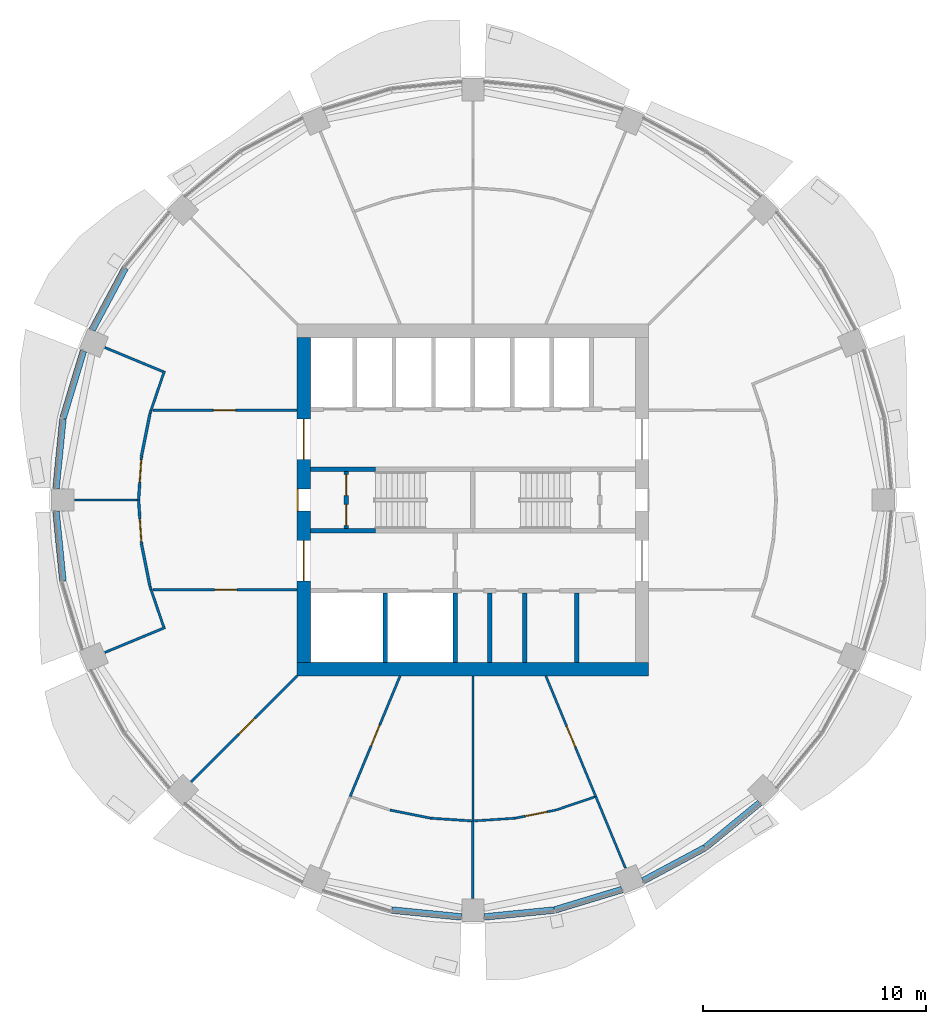
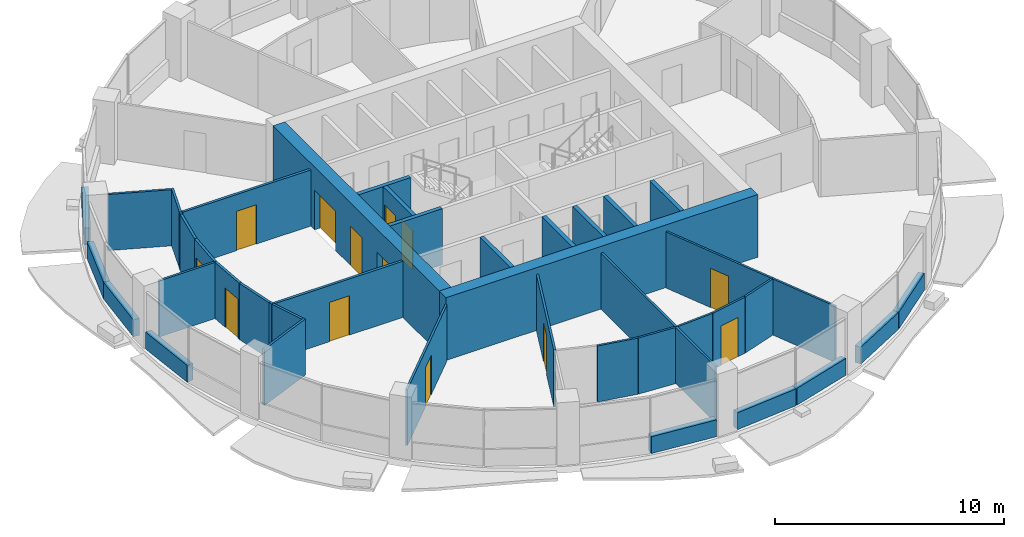
# One storey, part 8 of 15: 43 walls, 13 doors, 13 openings.
"""IFC4 building model written with IfcOpenShell, lengths in metres."""

from ifc_helpers import new_model, si_unit, direction, frame, frame_2d, origin, place, context, subcontext, project, spatial, rectangle, extrude, material, layer, layer_set, type_object, element, fill, save


model = new_model("IFC4")

# Units and contexts
model_context = context("Model", 3, precision=1e-05, world=origin(), true_north=direction((0.0, 1.0)))
body_context = subcontext(model_context, "Body", "Model", "MODEL_VIEW")
ifc_project = project(units=[si_unit("LENGTHUNIT", "METRE"), si_unit("AREAUNIT", "SQUARE_METRE"), si_unit("VOLUMEUNIT", "CUBIC_METRE"), si_unit("PLANEANGLEUNIT", "RADIAN"), si_unit("MASSUNIT", "GRAM", prefix="KILO")], contexts=[model_context])

# Site, building, storey
site_placement = place(None, origin())
site = spatial("IfcSite", under=ifc_project, at=site_placement, CompositionType="ELEMENT")
building_placement = place(site_placement, origin())
building = spatial("IfcBuilding", under=site, at=building_placement, Name="Polderwave Tower", CompositionType="ELEMENT")
storey_placement = place(building_placement, frame((0.0, 0.0, 137.699951171875)))
storey = spatial("IfcBuildingStorey", under=building, at=storey_placement, Name="L36", CompositionType="ELEMENT", Elevation=137.699951171875)

# Wall
ifc_material_1 = material(Name="Concrete C60/75", Category="concrete")
ifc_layer_1 = layer(ifc_material_1, 0.60009765625)
ifc_layer_set_1 = layer_set([ifc_layer_1], Name="CORE WALL 600 C60/75")
wall_type_1 = type_object("IfcWallType", Name="CORE WALL 600 C60/75", PredefinedType="SHEAR", material=ifc_layer_set_1)
wall_1_placement = place(storey_placement, frame((-7.8740234375, -7.573974609375, 0.0), z_axis=(0.0, 0.0, 1.0), x_axis=(1.0, 0.0, 0.0)))
element("IfcWall", 1, at=wall_1_placement, inside=storey, type_object=wall_type_1, Name="ST-CORE-L36-S", PredefinedType="SHEAR", context=body_context, shape_type="SweptSolid", body=[
    extrude(rectangle(XDim=15.748046875, YDim=0.60009765625, at=frame_2d((7.8740234375, 0.0))), origin(), (0.0, 0.0, 1.0), 3.35009765625),
])

# Wall, openings, doors
wall_2_placement = place(storey_placement, frame((-7.573974609375, -7.27392578125, 0.0), z_axis=(0.0, 0.0, 1.0), x_axis=(0.0, 1.0, 0.0)))
wall_2 = element("IfcWall", 2, at=wall_2_placement, inside=storey, type_object=wall_type_1, Name="ST-CORE-L36-W", PredefinedType="SHEAR", context=body_context, shape_type="SweptSolid", body=[
    extrude(rectangle(XDim=14.5478515625, YDim=0.60009765625, at=frame_2d((7.27392578125, 0.0))), origin(), (0.0, 0.0, 1.0), 3.35009765625),
])
opening_1_placement = place(wall_2_placement, frame((6.77392578125, 0.0, 0.0)))
opening_1 = element("IfcOpeningElement", 3, at=opening_1_placement, cuts=wall_2, Name="Opening L36-D20", PredefinedType="OPENING", context=body_context, shape_type="SweptSolid", body=[
    extrude(rectangle(XDim=1.0, YDim=2.10009765625, at=frame_2d((0.5, 1.050048828125))), frame((0.0, 0.31005859375, 0.0), z_axis=(0.0, -1.0, 0.0), x_axis=(1.0, 0.0, 0.0)), (0.0, 0.0, 1.0), 0.6201171875),
])
opening_2_placement = place(wall_2_placement, frame((3.6494140625, 0.0, 0.0)))
opening_2 = element("IfcOpeningElement", 4, at=opening_2_placement, cuts=wall_2, Name="Opening L36-D21", PredefinedType="OPENING", context=body_context, shape_type="SweptSolid", body=[
    extrude(rectangle(XDim=1.800048828125, YDim=2.10009765625, at=frame_2d((0.89990234375, 1.050048828125))), frame((0.0, 0.31005859375, 0.0), z_axis=(0.0, -1.0, 0.0), x_axis=(1.0, 0.0, 0.0)), (0.0, 0.0, 1.0), 0.6201171875),
])
opening_3_placement = place(wall_2_placement, frame((9.098388671875, 0.0, 0.0)))
opening_3 = element("IfcOpeningElement", 5, at=opening_3_placement, cuts=wall_2, Name="Opening L36-D22", PredefinedType="OPENING", context=body_context, shape_type="SweptSolid", body=[
    extrude(rectangle(XDim=1.800048828125, YDim=2.10009765625, at=frame_2d((0.89990234375, 1.050048828125))), frame((0.0, 0.31005859375, 0.0), z_axis=(0.0, -1.0, 0.0), x_axis=(1.0, 0.0, 0.0)), (0.0, 0.0, 1.0), 0.6201171875),
])
ifc_material_2 = material(Name="Steel fire door", Category="steel")
door_type_1 = type_object("IfcDoorType", Name="Lobby entry door pair 1800", OperationType="DOUBLE_DOOR_SINGLE_SWING", PredefinedType="DOOR", material=ifc_material_2)
door_1_placement = place(opening_2_placement, origin())
door_1 = element("IfcDoor", 6, at=door_1_placement, inside=storey, type_object=door_type_1, Name="Fire-fighting lobby entry door", OperationType="DOUBLE_DOOR_SINGLE_SWING", OverallHeight=2.10009765625, OverallWidth=1.800048828125, PredefinedType="DOOR", context=body_context, shape_type="SweptSolid", body=[
    extrude(rectangle(XDim=1.800048828125, YDim=2.10009765625, at=frame_2d((0.89990234375, 1.050048828125))), frame((0.0, 0.02490234375, 0.0), z_axis=(0.0, -1.0, 0.0), x_axis=(1.0, 0.0, 0.0)), (0.0, 0.0, 1.0), 0.050048828125),
])
fill(opening_2, door_1)
door_2_placement = place(opening_3_placement, origin())
door_2 = element("IfcDoor", 7, at=door_2_placement, inside=storey, type_object=door_type_1, Name="North lobby entry door", OperationType="DOUBLE_DOOR_SINGLE_SWING", OverallHeight=2.10009765625, OverallWidth=1.800048828125, PredefinedType="DOOR", context=body_context, shape_type="SweptSolid", body=[
    extrude(rectangle(XDim=1.800048828125, YDim=2.10009765625, at=frame_2d((0.89990234375, 1.050048828125))), frame((0.0, 0.02490234375, 0.0), z_axis=(0.0, -1.0, 0.0), x_axis=(1.0, 0.0, 0.0)), (0.0, 0.0, 1.0), 0.050048828125),
])
fill(opening_3, door_2)
door_type_2 = type_object("IfcDoorType", Name="Stair door 1000", OperationType="NOTDEFINED", PredefinedType="DOOR", material=ifc_material_2)
door_3_placement = place(opening_1_placement, origin())
door_3 = element("IfcDoor", 8, at=door_3_placement, inside=storey, type_object=door_type_2, Name="Stair A entry door", OperationType="SINGLE_SWING_RIGHT", OverallHeight=2.10009765625, OverallWidth=1.0, PredefinedType="DOOR", context=body_context, shape_type="SweptSolid", body=[
    extrude(rectangle(XDim=1.0, YDim=2.10009765625, at=frame_2d((0.5, 1.050048828125))), frame((0.0, 0.2998046875, 0.0), z_axis=(0.0, -1.0, 0.0), x_axis=(1.0, 0.0, 0.0)), (0.0, 0.0, 1.0), 0.050048828125),
])
fill(opening_1, door_3)

# Walls
ifc_material_3 = material(Name="Concrete C50/60 (board-marked)", Category="concrete")
ifc_layer_2 = layer(ifc_material_3, 0.300048828125)
ifc_layer_set_2 = layer_set([ifc_layer_2], Name="Concrete spandrel upstand C50/60")
wall_type_2 = type_object("IfcWallType", Name="Concrete spandrel upstand C50/60", PredefinedType="SOLIDWALL", material=ifc_layer_set_2)
wall_3_placement = place(storey_placement, frame((-15.580078125, 10.392822265625, 0.0), z_axis=(0.0, 0.0, 1.0), x_axis=(-0.471487773873, -0.881872597991, 0.0)))
element("IfcWall", 9, at=wall_3_placement, inside=storey, type_object=wall_type_2, Name="Spandrel L36 7b", PredefinedType="SOLIDWALL", context=body_context, shape_type="SweptSolid", body=[
    extrude(rectangle(XDim=3.140625, YDim=0.300048828125, at=frame_2d((1.5703125, 0.0))), origin(), (0.0, 0.0, 1.0), 0.900146484375),
])
for number, where, z_axis, x_axis, name in (
    (10, (-17.453369140625, 6.673583984375, 0.0), (0.0, 0.0, 1.0), (-0.290434573745, -0.956894852308, 0.0), "Spandrel L36 8a"),
    (11, (-18.37158203125, 3.63916015625, 0.0), (0.0, 0.0, 1.0), (-0.098033428421, -0.995183122301, 0.0), "Spandrel L36 8b"),
    (12, (-18.679443359375, -0.513916015625, 0.0), (0.0, 0.0, 1.0), (0.098033428421, -0.995183122301, 0.0), "Spandrel L36 9a"),
    (13, (-3.63916015625, -18.37158203125, 0.0), (0.0, 0.0, 1.0), (0.995183122301, -0.098033428421, 0.0), "Spandrel L36 12b"),
    (14, (0.513916015625, -18.679443359375, 0.0), (0.0, 0.0, 1.0), (0.995183122301, 0.098033428421, 0.0), "Spandrel L36 13a"),
    (15, (3.66845703125, -18.365478515625, 0.0), (0.0, 0.0, 1.0), (0.956894852308, 0.290434573745, 0.0), "Spandrel L36 13b"),
):
    element("IfcWall", number, at=place(storey_placement, frame(where, z_axis=z_axis, x_axis=x_axis)), inside=storey, type_object=wall_type_2, Name=name, PredefinedType="SOLIDWALL", context=body_context, shape_type="SweptSolid", body=[
        extrude(rectangle(XDim=3.140380859375, YDim=0.300048828125, at=frame_2d((1.5703125, 0.0))), origin(), (0.0, 0.0, 1.0), 0.900146484375),
    ])
for number, where, z_axis, x_axis, name in (
    (16, (7.623291015625, -17.060791015625, 0.0), (0.0, 0.0, 1.0), (0.881872597991, 0.471487773873, 0.0), "Spandrel L36 14a"),
    (17, (10.41748046875, -15.5634765625, 0.0), (0.0, 0.0, 1.0), (0.773111490074, 0.634270150579, 0.0), "Spandrel L36 14b"),
):
    element("IfcWall", number, at=place(storey_placement, frame(where, z_axis=z_axis, x_axis=x_axis)), inside=storey, type_object=wall_type_2, Name=name, PredefinedType="SOLIDWALL", context=body_context, shape_type="SweptSolid", body=[
        extrude(rectangle(XDim=3.140625, YDim=0.300048828125, at=frame_2d((1.5703125, 0.0))), origin(), (0.0, 0.0, 1.0), 0.900146484375),
    ])
ifc_material_4 = material(Name="Gypsum board partition")
ifc_layer_3 = layer(ifc_material_4, 0.199951171875)
ifc_layer_set_3 = layer_set([ifc_layer_3], Name="Core room partition 200")
wall_type_3 = type_object("IfcWallType", Name="Core room partition 200", PredefinedType="PARTITIONING", material=ifc_layer_set_3)
for number, where, z_axis, x_axis, name in (
    (18, (0.75830078125, -7.27392578125, 0.0), (0.0, 0.0, 1.0), (0.0, 1.0, 0.0), "L36 room partition S1"),
    (19, (2.316650390625, -7.27392578125, 0.0), (0.0, 0.0, 1.0), (0.0, 1.0, 0.0), "L36 room partition S2"),
    (20, (4.6513671875, -7.27392578125, 0.0), (0.0, 0.0, 1.0), (0.0, 1.0, 0.0), "L36 room partition S3"),
):
    element("IfcWall", number, at=place(storey_placement, frame(where, z_axis=z_axis, x_axis=x_axis)), inside=storey, type_object=wall_type_3, Name=name, PredefinedType="PARTITIONING", context=body_context, shape_type="SweptSolid", body=[
        extrude(rectangle(XDim=3.099853515625, YDim=0.199951171875, at=frame_2d((1.5498046875, 0.0))), origin(), (0.0, 0.0, 1.0), 3.0),
    ])

# Wall, openings, doors
wall_4_placement = place(storey_placement, frame((-5.674072265625, -1.27490234375, 0.0), z_axis=(0.0, 0.0, 1.0), x_axis=(0.0, 1.0, 0.0)))
wall_4 = element("IfcWall", 21, at=wall_4_placement, inside=storey, type_object=wall_type_3, Name="L36 smoke lobby wall A", PredefinedType="PARTITIONING", context=body_context, shape_type="SweptSolid", body=[
    extrude(rectangle(XDim=2.5498046875, YDim=0.199951171875, at=frame_2d((1.27490234375, 0.0))), origin(), (0.0, 0.0, 1.0), 3.0),
])
opening_4_placement = place(wall_4_placement, frame((0.125, 0.0, 0.0)))
opening_4 = element("IfcOpeningElement", 22, at=opening_4_placement, cuts=wall_4, Name="Opening L36-D10", PredefinedType="OPENING", context=body_context, shape_type="SweptSolid", body=[
    extrude(rectangle(XDim=0.949951171875, YDim=2.10009765625, at=frame_2d((0.47509765625, 1.050048828125))), frame((0.0, 0.10986328125, 0.0), z_axis=(0.0, -1.0, 0.0), x_axis=(1.0, 0.0, 0.0)), (0.0, 0.0, 1.0), 0.219970703125),
])
opening_5_placement = place(wall_4_placement, frame((1.47509765625, 0.0, 0.0)))
opening_5 = element("IfcOpeningElement", 23, at=opening_5_placement, cuts=wall_4, Name="Opening L36-D11", PredefinedType="OPENING", context=body_context, shape_type="SweptSolid", body=[
    extrude(rectangle(XDim=0.949951171875, YDim=2.10009765625, at=frame_2d((0.47509765625, 1.050048828125))), frame((0.0, 0.10986328125, 0.0), z_axis=(0.0, -1.0, 0.0), x_axis=(1.0, 0.0, 0.0)), (0.0, 0.0, 1.0), 0.219970703125),
])
door_type_3 = type_object("IfcDoorType", Name="Smoke lobby door 950", OperationType="NOTDEFINED", PredefinedType="DOOR", material=ifc_material_2)
door_4_placement = place(opening_4_placement, origin())
door_4 = element("IfcDoor", 24, at=door_4_placement, inside=storey, type_object=door_type_3, Name="Stair A smoke lobby inner door", OperationType="SINGLE_SWING_LEFT", OverallHeight=2.10009765625, OverallWidth=0.949951171875, PredefinedType="DOOR", context=body_context, shape_type="SweptSolid", body=[
    extrude(rectangle(XDim=0.949951171875, YDim=2.10009765625, at=frame_2d((0.47509765625, 1.050048828125))), frame((0.0, 0.02490234375, 0.0), z_axis=(0.0, -1.0, 0.0), x_axis=(1.0, 0.0, 0.0)), (0.0, 0.0, 1.0), 0.050048828125),
])
fill(opening_4, door_4)
door_5_placement = place(opening_5_placement, origin())
door_5 = element("IfcDoor", 25, at=door_5_placement, inside=storey, type_object=door_type_3, Name="Stair A smoke lobby inner door", OperationType="SINGLE_SWING_RIGHT", OverallHeight=2.10009765625, OverallWidth=0.949951171875, PredefinedType="DOOR", context=body_context, shape_type="SweptSolid", body=[
    extrude(rectangle(XDim=0.949951171875, YDim=2.10009765625, at=frame_2d((0.47509765625, 1.050048828125))), frame((0.0, 0.02490234375, 0.0), z_axis=(0.0, -1.0, 0.0), x_axis=(1.0, 0.0, 0.0)), (0.0, 0.0, 1.0), 0.050048828125),
])
fill(opening_5, door_5)

# Walls
ifc_material_5 = material(Name="Concrete C50/60", Category="concrete")
ifc_layer_4 = layer(ifc_material_5, 0.199951171875)
ifc_layer_set_4 = layer_set([ifc_layer_4], Name="Core web wall 200")
wall_type_4 = type_object("IfcWallType", Name="Core web wall 200", PredefinedType="SHEAR", material=ifc_layer_set_4)
for number, where, z_axis, x_axis, name in (
    (26, (-7.27392578125, -1.375, 0.0), (0.0, 0.0, 1.0), (1.0, 0.0, 0.0), "L36 south stair wall 1"),
    (27, (-7.27392578125, 1.375, 0.0), (0.0, 0.0, 1.0), (1.0, 0.0, 0.0), "L36 north stair wall 1"),
):
    element("IfcWall", number, at=place(storey_placement, frame(where, z_axis=z_axis, x_axis=x_axis)), inside=storey, type_object=wall_type_4, Name=name, PredefinedType="SHEAR", context=body_context, shape_type="SweptSolid", body=[
        extrude(rectangle(XDim=2.89990234375, YDim=0.199951171875, at=frame_2d((1.449951171875, 0.0))), origin(), (0.0, 0.0, 1.0), 3.0),
    ])

# Wall, opening, door
ifc_material_6 = material(Name="Fire-resisting board on steel studs", Category="steel")
ifc_layer_5 = layer(ifc_material_6, 0.125)
ifc_layer_set_5 = layer_set([ifc_layer_5], Name="Corridor wall 125 mm EI 60")
wall_type_5 = type_object("IfcWallType", Name="Corridor wall 125 mm EI 60", PredefinedType="PARTITIONING", material=ifc_layer_set_5)
wall_5_placement = place(storey_placement, frame((-14.332275390625, 4.0244140625, 0.0), z_axis=(0.0, 0.0, 1.0), x_axis=(1.0, 0.0, 0.0)))
wall_5 = element("IfcWall", 28, at=wall_5_placement, inside=storey, type_object=wall_type_5, Name="IN-L36-W009", PredefinedType="PARTITIONING", context=body_context, shape_type="SweptSolid", body=[
    extrude(rectangle(XDim=6.458251953125, YDim=0.125, at=frame_2d((3.22900390625, 0.0))), origin(), (0.0, 0.0, 1.0), 3.0),
])
opening_6_placement = place(wall_5_placement, frame((2.699951171875, 0.0, 0.0)))
opening_6 = element("IfcOpeningElement", 29, at=opening_6_placement, cuts=wall_5, Name="Opening L36-D53", PredefinedType="OPENING", context=body_context, shape_type="SweptSolid", body=[
    extrude(rectangle(XDim=1.0, YDim=2.10009765625, at=frame_2d((0.5, 1.050048828125))), frame((0.0, 0.072509765625, 0.0), z_axis=(0.0, -1.0, 0.0), x_axis=(1.0, 0.0, 0.0)), (0.0, 0.0, 1.0), 0.14501953125),
])
ifc_material_7 = material(Name="Timber fire door leaf", Category="wood")
door_type_4 = type_object("IfcDoorType", Name="Fire door FD30S 1000 x 2100", OperationType="NOTDEFINED", PredefinedType="DOOR", material=ifc_material_7)
door_6_placement = place(opening_6_placement, origin())
door_6 = element("IfcDoor", 30, at=door_6_placement, inside=storey, type_object=door_type_4, Name="Door L36-D53", OperationType="SINGLE_SWING_LEFT", OverallHeight=2.10009765625, OverallWidth=1.0, PredefinedType="DOOR", context=body_context, shape_type="SweptSolid", body=[
    extrude(rectangle(XDim=1.0, YDim=2.10009765625, at=frame_2d((0.5, 1.050048828125))), frame((0.0, 0.02490234375, 0.0), z_axis=(0.0, -1.0, 0.0), x_axis=(1.0, 0.0, 0.0)), (0.0, 0.0, 1.0), 0.050048828125),
])
fill(opening_6, door_6)

wall_6_placement = place(storey_placement, frame((-14.97998046875, 0.0, 0.0), z_axis=(0.0, 0.0, 1.0), x_axis=(0.065425090266, 0.997857483594, 0.0)))
wall_6 = element("IfcWall", 31, at=wall_6_placement, inside=storey, type_object=wall_type_5, Name="IN-L36-W010", PredefinedType="PARTITIONING", context=body_context, shape_type="SweptSolid", body=[
    extrude(rectangle(XDim=1.955322265625, YDim=0.125, at=frame_2d((0.9775390625, 0.0))), origin(), (0.0, 0.0, 1.0), 3.0),
])
opening_7_placement = place(wall_6_placement, frame((0.800048828125, 0.0, 0.0)))
opening_7 = element("IfcOpeningElement", 32, at=opening_7_placement, cuts=wall_6, Name="Opening L36-D54", PredefinedType="OPENING", context=body_context, shape_type="SweptSolid", body=[
    extrude(rectangle(XDim=1.0, YDim=2.10009765625, at=frame_2d((0.5, 1.050048828125))), frame((0.0, 0.072509765625, 0.0), z_axis=(0.0, -1.0, 0.0), x_axis=(1.0, 0.0, 0.0)), (0.0, 0.0, 1.0), 0.14501953125),
])
door_7_placement = place(opening_7_placement, origin())
door_7 = element("IfcDoor", 33, at=door_7_placement, inside=storey, type_object=door_type_4, Name="Door L36-D54", OperationType="SINGLE_SWING_RIGHT", OverallHeight=2.10009765625, OverallWidth=1.0, PredefinedType="DOOR", context=body_context, shape_type="SweptSolid", body=[
    extrude(rectangle(XDim=1.0, YDim=2.10009765625, at=frame_2d((0.5, 1.050048828125))), frame((0.0, 0.02490234375, 0.0), z_axis=(0.0, -1.0, 0.0), x_axis=(1.0, 0.0, 0.0)), (0.0, 0.0, 1.0), 0.050048828125),
])
fill(opening_7, door_7)

# Walls
wall_7_placement = place(storey_placement, frame((-14.85107421875, 1.959228515625, 0.0), z_axis=(0.0, 0.0, 1.0), x_axis=(0.195057338878, 0.980791840581, 0.0)))
element("IfcWall", 34, at=wall_7_placement, inside=storey, type_object=wall_type_5, Name="IN-L36-W011", PredefinedType="PARTITIONING", context=body_context, shape_type="SweptSolid", body=[
    extrude(rectangle(XDim=1.951416015625, YDim=0.125, at=frame_2d((0.9755859375, 0.0))), origin(), (0.0, 0.0, 1.0), 3.0),
])
wall_8_placement = place(storey_placement, frame((-14.46826171875, 3.881103515625, 0.0), z_axis=(0.0, 0.0, 1.0), x_axis=(0.322509757857, 0.946566139309, 0.0)))
element("IfcWall", 35, at=wall_8_placement, inside=storey, type_object=wall_type_5, Name="IN-L36-W012", PredefinedType="PARTITIONING", context=body_context, shape_type="SweptSolid", body=[
    extrude(rectangle(XDim=0.1513671875, YDim=0.125, at=frame_2d((0.07568359375, 0.0))), origin(), (0.0, 0.0, 1.0), 3.0),
])

# Wall, opening, door
wall_9_placement = place(storey_placement, frame((-7.8740234375, -4.0244140625, 0.0), z_axis=(0.0, 0.0, 1.0), x_axis=(-1.0, 0.0, 0.0)))
wall_9 = element("IfcWall", 36, at=wall_9_placement, inside=storey, type_object=wall_type_5, Name="IN-L36-W013", PredefinedType="PARTITIONING", context=body_context, shape_type="SweptSolid", body=[
    extrude(rectangle(XDim=6.458251953125, YDim=0.125, at=frame_2d((3.22900390625, 0.0))), origin(), (0.0, 0.0, 1.0), 3.0),
])
opening_8_placement = place(wall_9_placement, frame((2.699951171875, 0.0, 0.0)))
opening_8 = element("IfcOpeningElement", 37, at=opening_8_placement, cuts=wall_9, Name="Opening L36-D55", PredefinedType="OPENING", context=body_context, shape_type="SweptSolid", body=[
    extrude(rectangle(XDim=1.0, YDim=2.10009765625, at=frame_2d((0.5, 1.050048828125))), frame((0.0, 0.072509765625, 0.0), z_axis=(0.0, -1.0, 0.0), x_axis=(1.0, 0.0, 0.0)), (0.0, 0.0, 1.0), 0.14501953125),
])
door_8_placement = place(opening_8_placement, origin())
door_8 = element("IfcDoor", 38, at=door_8_placement, inside=storey, type_object=door_type_4, Name="Door L36-D55", OperationType="SINGLE_SWING_LEFT", OverallHeight=2.10009765625, OverallWidth=1.0, PredefinedType="DOOR", context=body_context, shape_type="SweptSolid", body=[
    extrude(rectangle(XDim=1.0, YDim=2.10009765625, at=frame_2d((0.5, 1.050048828125))), frame((0.0, 0.02490234375, 0.0), z_axis=(0.0, -1.0, 0.0), x_axis=(1.0, 0.0, 0.0)), (0.0, 0.0, 1.0), 0.050048828125),
])
fill(opening_8, door_8)

wall_10_placement = place(storey_placement, frame((-14.85205078125, -1.951171875, 0.0), z_axis=(0.0, 0.0, 1.0), x_axis=(-0.065425090266, 0.997857483594, 0.0)))
wall_10 = element("IfcWall", 39, at=wall_10_placement, inside=storey, type_object=wall_type_5, Name="IN-L36-W014", PredefinedType="PARTITIONING", context=body_context, shape_type="SweptSolid", body=[
    extrude(rectangle(XDim=1.955322265625, YDim=0.125, at=frame_2d((0.9775390625, 0.0))), origin(), (0.0, 0.0, 1.0), 3.0),
])
opening_9_placement = place(wall_10_placement, frame((0.10009765625, 0.0, 0.0)))
opening_9 = element("IfcOpeningElement", 40, at=opening_9_placement, cuts=wall_10, Name="Opening L36-D56", PredefinedType="OPENING", context=body_context, shape_type="SweptSolid", body=[
    extrude(rectangle(XDim=1.0, YDim=2.10009765625, at=frame_2d((0.5, 1.050048828125))), frame((0.0, 0.072509765625, 0.0), z_axis=(0.0, -1.0, 0.0), x_axis=(1.0, 0.0, 0.0)), (0.0, 0.0, 1.0), 0.14501953125),
])
door_9_placement = place(opening_9_placement, origin())
door_9 = element("IfcDoor", 41, at=door_9_placement, inside=storey, type_object=door_type_4, Name="Door L36-D56", OperationType="SINGLE_SWING_LEFT", OverallHeight=2.10009765625, OverallWidth=1.0, PredefinedType="DOOR", context=body_context, shape_type="SweptSolid", body=[
    extrude(rectangle(XDim=1.0, YDim=2.10009765625, at=frame_2d((0.5, 1.050048828125))), frame((0.0, 0.02490234375, 0.0), z_axis=(0.0, -1.0, 0.0), x_axis=(1.0, 0.0, 0.0)), (0.0, 0.0, 1.0), 0.050048828125),
])
fill(opening_9, door_9)

# Walls
wall_11_placement = place(storey_placement, frame((-14.470458984375, -3.873046875, 0.0), z_axis=(0.0, 0.0, 1.0), x_axis=(-0.195057338878, 0.980791840581, 0.0)))
element("IfcWall", 42, at=wall_11_placement, inside=storey, type_object=wall_type_5, Name="IN-L36-W015", PredefinedType="PARTITIONING", context=body_context, shape_type="SweptSolid", body=[
    extrude(rectangle(XDim=1.951416015625, YDim=0.125, at=frame_2d((0.9755859375, 0.0))), origin(), (0.0, 0.0, 1.0), 3.0),
])
wall_12_placement = place(storey_placement, frame((-14.41943359375, -4.0244140625, 0.0), z_axis=(0.0, 0.0, 1.0), x_axis=(-0.322509757857, 0.946566139309, 0.0)))
element("IfcWall", 43, at=wall_12_placement, inside=storey, type_object=wall_type_5, Name="IN-L36-W016", PredefinedType="PARTITIONING", context=body_context, shape_type="SweptSolid", body=[
    extrude(rectangle(XDim=0.1513671875, YDim=0.125, at=frame_2d((0.07568359375, 0.0))), origin(), (0.0, 0.0, 1.0), 3.0),
])

# Wall, opening, door
ifc_material_8 = material(Name="Plasterboard on steel studs", Category="steel")
ifc_layer_6 = layer(ifc_material_8, 0.10009765625)
ifc_layer_set_6 = layer_set([ifc_layer_6], Name="Partition 100 mm plasterboard on steel studs")
wall_type_6 = type_object("IfcWallType", Name="Partition 100 mm plasterboard on steel studs", PredefinedType="PARTITIONING", material=ifc_layer_set_6)
wall_13_placement = place(storey_placement, frame((-7.8740234375, -7.8740234375, 0.0), z_axis=(0.0, 0.0, 1.0), x_axis=(-0.707106781187, -0.707106781187, 0.0)))
wall_13 = element("IfcWall", 44, at=wall_13_placement, inside=storey, type_object=wall_type_6, Name="IN-L36-W040", PredefinedType="PARTITIONING", context=body_context, shape_type="SweptSolid", body=[
    extrude(rectangle(XDim=6.71435546875, YDim=0.10009765625, at=frame_2d((3.357177734375, 0.0))), origin(), (0.0, 0.0, 1.0), 3.0),
])
opening_10_placement = place(wall_13_placement, frame((2.699951171875, 0.0, 0.0)))
opening_10 = element("IfcOpeningElement", 45, at=opening_10_placement, cuts=wall_13, Name="Opening L36-D63", PredefinedType="OPENING", context=body_context, shape_type="SweptSolid", body=[
    extrude(rectangle(XDim=1.0, YDim=2.10009765625, at=frame_2d((0.5, 1.050048828125))), frame((0.0, 0.06005859375, 0.0), z_axis=(0.0, -1.0, 0.0), x_axis=(1.0, 0.0, 0.0)), (0.0, 0.0, 1.0), 0.1201171875),
])
ifc_material_9 = material(Name="Timber veneer door leaf", Category="wood")
door_type_5 = type_object("IfcDoorType", Name="Single door 1000 x 2100", OperationType="NOTDEFINED", PredefinedType="DOOR", material=ifc_material_9)
door_10_placement = place(opening_10_placement, origin())
door_10 = element("IfcDoor", 46, at=door_10_placement, inside=storey, type_object=door_type_5, Name="Door L36-D63", OperationType="SINGLE_SWING_LEFT", OverallHeight=2.10009765625, OverallWidth=1.0, PredefinedType="DOOR", context=body_context, shape_type="SweptSolid", body=[
    extrude(rectangle(XDim=1.0, YDim=2.10009765625, at=frame_2d((0.5, 1.050048828125))), frame((0.0, 0.02490234375, 0.0), z_axis=(0.0, -1.0, 0.0), x_axis=(1.0, 0.0, 0.0)), (0.0, 0.0, 1.0), 0.050048828125),
])
fill(opening_10, door_10)

# Wall
wall_14_placement = place(storey_placement, frame((1.873779296875, -14.257080078125, 0.0), z_axis=(0.0, 0.0, 1.0), x_axis=(-0.997853500394, -0.065485813366, 0.0)))
element("IfcWall", 47, at=wall_14_placement, inside=storey, type_object=wall_type_6, Name="IN-L36-W048", PredefinedType="PARTITIONING", context=body_context, shape_type="SweptSolid", body=[
    extrude(rectangle(XDim=1.8193359375, YDim=0.10009765625, at=frame_2d((0.90966796875, 0.0))), origin(), (0.0, 0.0, 1.0), 3.0),
])

# Wall, opening, door
wall_15_placement = place(storey_placement, frame((3.718505859375, -13.890625, 0.0), z_axis=(0.0, 0.0, 1.0), x_axis=(-0.980780548044, -0.195114111683, 0.0)))
wall_15 = element("IfcWall", 48, at=wall_15_placement, inside=storey, type_object=wall_type_6, Name="IN-L36-W049", PredefinedType="PARTITIONING", context=body_context, shape_type="SweptSolid", body=[
    extrude(rectangle(XDim=1.87451171875, YDim=0.10009765625, at=frame_2d((0.937255859375, 0.0))), origin(), (0.0, 0.0, 1.0), 3.0),
])
opening_11_placement = place(wall_15_placement, frame((0.39990234375, 0.0, 0.0)))
opening_11 = element("IfcOpeningElement", 49, at=opening_11_placement, cuts=wall_15, Name="Opening L36-D66", PredefinedType="OPENING", context=body_context, shape_type="SweptSolid", body=[
    extrude(rectangle(XDim=1.0, YDim=2.10009765625, at=frame_2d((0.5, 1.050048828125))), frame((0.0, 0.06005859375, 0.0), z_axis=(0.0, -1.0, 0.0), x_axis=(1.0, 0.0, 0.0)), (0.0, 0.0, 1.0), 0.1201171875),
])
door_11_placement = place(opening_11_placement, origin())
door_11 = element("IfcDoor", 50, at=door_11_placement, inside=storey, type_object=door_type_5, Name="Door L36-D66", OperationType="SINGLE_SWING_LEFT", OverallHeight=2.10009765625, OverallWidth=1.0, PredefinedType="DOOR", context=body_context, shape_type="SweptSolid", body=[
    extrude(rectangle(XDim=1.0, YDim=2.10009765625, at=frame_2d((0.5, 1.050048828125))), frame((0.0, 0.02490234375, 0.0), z_axis=(0.0, -1.0, 0.0), x_axis=(1.0, 0.0, 0.0)), (0.0, 0.0, 1.0), 0.050048828125),
])
fill(opening_11, door_11)

# Wall
wall_16_placement = place(storey_placement, frame((5.452392578125, -13.302490234375, 0.0), z_axis=(0.0, 0.0, 1.0), x_axis=(-0.946929247039, -0.321442064922, 0.0)))
element("IfcWall", 51, at=wall_16_placement, inside=storey, type_object=wall_type_6, Name="IN-L36-W050", PredefinedType="PARTITIONING", context=body_context, shape_type="SweptSolid", body=[
    extrude(rectangle(XDim=1.824462890625, YDim=0.10009765625, at=frame_2d((0.912109375, 0.0))), origin(), (0.0, 0.0, 1.0), 3.0),
])

# Wall, opening, door
wall_17_placement = place(storey_placement, frame((5.5029296875, -13.285400390625, 0.0), z_axis=(0.0, 0.0, 1.0), x_axis=(-0.382681880818, 0.923880175181, 0.0)))
wall_17 = element("IfcWall", 52, at=wall_17_placement, inside=storey, type_object=wall_type_6, Name="IN-L36-W051", PredefinedType="PARTITIONING", context=body_context, shape_type="SweptSolid", body=[
    extrude(rectangle(XDim=5.857177734375, YDim=0.10009765625, at=frame_2d((2.9287109375, 0.0))), origin(), (0.0, 0.0, 1.0), 3.0),
])
opening_12_placement = place(wall_17_placement, frame((2.39990234375, 0.0, 0.0)))
opening_12 = element("IfcOpeningElement", 53, at=opening_12_placement, cuts=wall_17, Name="Opening L36-D67", PredefinedType="OPENING", context=body_context, shape_type="SweptSolid", body=[
    extrude(rectangle(XDim=1.0, YDim=2.10009765625, at=frame_2d((0.5, 1.050048828125))), frame((0.0, 0.06005859375, 0.0), z_axis=(0.0, -1.0, 0.0), x_axis=(1.0, 0.0, 0.0)), (0.0, 0.0, 1.0), 0.1201171875),
])
door_12_placement = place(opening_12_placement, origin())
door_12 = element("IfcDoor", 54, at=door_12_placement, inside=storey, type_object=door_type_5, Name="Door L36-D67", OperationType="SINGLE_SWING_LEFT", OverallHeight=2.10009765625, OverallWidth=1.0, PredefinedType="DOOR", context=body_context, shape_type="SweptSolid", body=[
    extrude(rectangle(XDim=1.0, YDim=2.10009765625, at=frame_2d((0.5, 1.050048828125))), frame((0.0, 0.02490234375, 0.0), z_axis=(0.0, -1.0, 0.0), x_axis=(1.0, 0.0, 0.0)), (0.0, 0.0, 1.0), 0.050048828125),
])
fill(opening_12, door_12)

# Wall
wall_18_placement = place(storey_placement, frame((5.5029296875, -13.285400390625, 0.0), z_axis=(0.0, 0.0, 1.0), x_axis=(0.382681133009, -0.923880484932, 0.0)))
element("IfcWall", 55, at=wall_18_placement, inside=storey, type_object=wall_type_6, Name="IN-L36-W052", PredefinedType="PARTITIONING", context=body_context, shape_type="SweptSolid", body=[
    extrude(rectangle(XDim=3.469970703125, YDim=0.10009765625, at=frame_2d((1.73486328125, 0.0))), origin(), (0.0, 0.0, 1.0), 3.0),
])

# Wall, opening, door
ifc_material_10 = material(Name="Moisture-resistant board on steel studs, tiled", Category="steel")
ifc_layer_7 = layer(ifc_material_10, 0.10498046875)
ifc_layer_set_7 = layer_set([ifc_layer_7], Name="Partition 105 mm wet room board and tile")
wall_type_7 = type_object("IfcWallType", Name="Partition 105 mm wet room board and tile", PredefinedType="PARTITIONING", material=ifc_layer_set_7)
wall_19_placement = place(storey_placement, frame((-3.261474609375, -7.8740234375, 0.0), z_axis=(0.0, 0.0, 1.0), x_axis=(-0.382681880818, -0.923880175181, 0.0)))
wall_19 = element("IfcWall", 56, at=wall_19_placement, inside=storey, type_object=wall_type_7, Name="IN-L36-W041", PredefinedType="PARTITIONING", context=body_context, shape_type="SweptSolid", body=[
    extrude(rectangle(XDim=5.857177734375, YDim=0.10498046875, at=frame_2d((2.9287109375, 0.0))), origin(), (0.0, 0.0, 1.0), 3.0),
])
opening_13_placement = place(wall_19_placement, frame((2.39990234375, 0.0, 0.0)))
opening_13 = element("IfcOpeningElement", 57, at=opening_13_placement, cuts=wall_19, Name="Opening L36-D64", PredefinedType="OPENING", context=body_context, shape_type="SweptSolid", body=[
    extrude(rectangle(XDim=1.0, YDim=2.10009765625, at=frame_2d((0.5, 1.050048828125))), frame((0.0, 0.0625, 0.0), z_axis=(0.0, -1.0, 0.0), x_axis=(1.0, 0.0, 0.0)), (0.0, 0.0, 1.0), 0.125),
])
door_13_placement = place(opening_13_placement, origin())
door_13 = element("IfcDoor", 58, at=door_13_placement, inside=storey, type_object=door_type_5, Name="Door L36-D64", OperationType="SINGLE_SWING_LEFT", OverallHeight=2.10009765625, OverallWidth=1.0, PredefinedType="DOOR", context=body_context, shape_type="SweptSolid", body=[
    extrude(rectangle(XDim=1.0, YDim=2.10009765625, at=frame_2d((0.5, 1.050048828125))), frame((0.0, 0.02490234375, 0.0), z_axis=(0.0, -1.0, 0.0), x_axis=(1.0, 0.0, 0.0)), (0.0, 0.0, 1.0), 0.050048828125),
])
fill(opening_13, door_13)

# Walls
wall_20_placement = place(storey_placement, frame((-1.88037109375, -14.25634765625, 0.0), z_axis=(0.0, 0.0, 1.0), x_axis=(-0.980775588549, 0.195139039932, 0.0)))
element("IfcWall", 59, at=wall_20_placement, inside=storey, type_object=wall_type_7, Name="IN-L36-W044", PredefinedType="PARTITIONING", context=body_context, shape_type="SweptSolid", body=[
    extrude(rectangle(XDim=1.874267578125, YDim=0.10498046875, at=frame_2d((0.93701171875, 0.0))), origin(), (0.0, 0.0, 1.0), 3.0),
])
wall_21_placement = place(storey_placement, frame((-0.058349609375, -14.376220703125, 0.0), z_axis=(0.0, 0.0, 1.0), x_axis=(-0.997852924809, 0.065494583363, 0.0)))
element("IfcWall", 60, at=wall_21_placement, inside=storey, type_object=wall_type_7, Name="IN-L36-W045", PredefinedType="PARTITIONING", context=body_context, shape_type="SweptSolid", body=[
    extrude(rectangle(XDim=1.819091796875, YDim=0.10498046875, at=frame_2d((0.90966796875, 0.0))), origin(), (0.0, 0.0, 1.0), 3.0),
])
wall_22_placement = place(storey_placement, frame((0.0, -7.8740234375, 0.0), z_axis=(0.0, 0.0, 1.0), x_axis=(0.0, -1.0, 0.0)))
element("IfcWall", 61, at=wall_22_placement, inside=storey, type_object=wall_type_7, Name="IN-L36-W046", PredefinedType="PARTITIONING", context=body_context, shape_type="SweptSolid", body=[
    extrude(rectangle(XDim=6.505859375, YDim=0.10498046875, at=frame_2d((3.2529296875, 0.0))), origin(), (0.0, 0.0, 1.0), 3.0),
])
ifc_material_11 = material(Name="Acoustic double plasterboard on steel studs", Category="steel")
ifc_layer_8 = layer(ifc_material_11, 0.110107421875)
ifc_layer_set_8 = layer_set([ifc_layer_8], Name="Partition 110 mm acoustic double board")
wall_type_8 = type_object("IfcWallType", Name="Partition 110 mm acoustic double board", PredefinedType="PARTITIONING", material=ifc_layer_set_8)
wall_23_placement = place(storey_placement, frame((-14.41943359375, 4.0244140625, 0.0), z_axis=(0.0, 0.0, 1.0), x_axis=(0.321384678366, 0.946948725387, 0.0)))
element("IfcWall", 62, at=wall_23_placement, inside=storey, type_object=wall_type_8, Name="IN-L36-W035", PredefinedType="PARTITIONING", context=body_context, shape_type="SweptSolid", body=[
    extrude(rectangle(XDim=1.85888671875, YDim=0.110107421875, at=frame_2d((0.929443359375, 0.0))), origin(), (0.0, 0.0, 1.0), 3.0),
])
wall_24_placement = place(storey_placement, frame((-13.89404296875, 5.755126953125, 0.0), z_axis=(0.0, 0.0, 1.0), x_axis=(-0.923891933257, 0.382653492943, 0.0)))
element("IfcWall", 63, at=wall_24_placement, inside=storey, type_object=wall_type_8, Name="IN-L36-W036", PredefinedType="PARTITIONING", context=body_context, shape_type="SweptSolid", body=[
    extrude(rectangle(XDim=2.81103515625, YDim=0.110107421875, at=frame_2d((1.405517578125, 0.0))), origin(), (0.0, 0.0, 1.0), 3.0),
])
wall_25_placement = place(storey_placement, frame((-15.046142578125, 0.0, 0.0), z_axis=(0.0, 0.0, 1.0), x_axis=(-1.0, 0.0, 0.0)))
element("IfcWall", 64, at=wall_25_placement, inside=storey, type_object=wall_type_8, Name="IN-L36-W037", PredefinedType="PARTITIONING", context=body_context, shape_type="SweptSolid", body=[
    extrude(rectangle(XDim=2.803955078125, YDim=0.110107421875, at=frame_2d((1.40185546875, 0.0))), origin(), (0.0, 0.0, 1.0), 3.0),
])
wall_26_placement = place(storey_placement, frame((-16.4912109375, -6.830810546875, 0.0), z_axis=(0.0, 0.0, 1.0), x_axis=(0.923906972489, 0.382617179681, 0.0)))
element("IfcWall", 65, at=wall_26_placement, inside=storey, type_object=wall_type_8, Name="IN-L36-W038", PredefinedType="PARTITIONING", context=body_context, shape_type="SweptSolid", body=[
    extrude(rectangle(XDim=2.925048828125, YDim=0.110107421875, at=frame_2d((1.46240234375, 0.0))), origin(), (0.0, 0.0, 1.0), 3.0),
])
wall_27_placement = place(storey_placement, frame((-13.858642578125, -5.677001953125, 0.0), z_axis=(0.0, 0.0, 1.0), x_axis=(-0.321343390067, 0.946962737208, 0.0)))
element("IfcWall", 66, at=wall_27_placement, inside=storey, type_object=wall_type_8, Name="IN-L36-W039", PredefinedType="PARTITIONING", context=body_context, shape_type="SweptSolid", body=[
    extrude(rectangle(XDim=1.7451171875, YDim=0.110107421875, at=frame_2d((0.87255859375, 0.0))), origin(), (0.0, 0.0, 1.0), 3.0),
])
wall_28_placement = place(storey_placement, frame((0.0, -14.3798828125, 0.0), z_axis=(0.0, 0.0, 1.0), x_axis=(0.0, -1.0, 0.0)))
element("IfcWall", 67, at=wall_28_placement, inside=storey, type_object=wall_type_8, Name="IN-L36-W047", PredefinedType="PARTITIONING", context=body_context, shape_type="SweptSolid", body=[
    extrude(rectangle(XDim=3.47021484375, YDim=0.110107421875, at=frame_2d((1.735107421875, 0.0))), origin(), (0.0, 0.0, 1.0), 3.0),
])
ifc_material_12 = material(Name="Gypsum shaft wall system")
ifc_layer_9 = layer(ifc_material_12, 0.199951171875)
ifc_layer_set_9 = layer_set([ifc_layer_9], Name="Shaft wall 200")
wall_type_9 = type_object("IfcWallType", Name="Shaft wall 200", PredefinedType="PARTITIONING", material=ifc_layer_set_9)
for number, where, z_axis, x_axis, name in (
    (68, (-3.93701171875, -7.27392578125, 0.0), (0.0, 0.0, 1.0), (0.0, 1.0, 0.0), "L36 fire-fighting shaft wall 1"),
    (69, (-0.800048828125, -7.27392578125, 0.0), (0.0, 0.0, 1.0), (0.0, 1.0, 0.0), "L36 fire-fighting shaft wall 2"),
):
    element("IfcWall", number, at=place(storey_placement, frame(where, z_axis=z_axis, x_axis=x_axis)), inside=storey, type_object=wall_type_9, Name=name, PredefinedType="PARTITIONING", context=body_context, shape_type="SweptSolid", body=[
        extrude(rectangle(XDim=3.099853515625, YDim=0.199951171875, at=frame_2d((1.5498046875, 0.0))), origin(), (0.0, 0.0, 1.0), 3.0),
    ])

save(model, "model.ifc")
